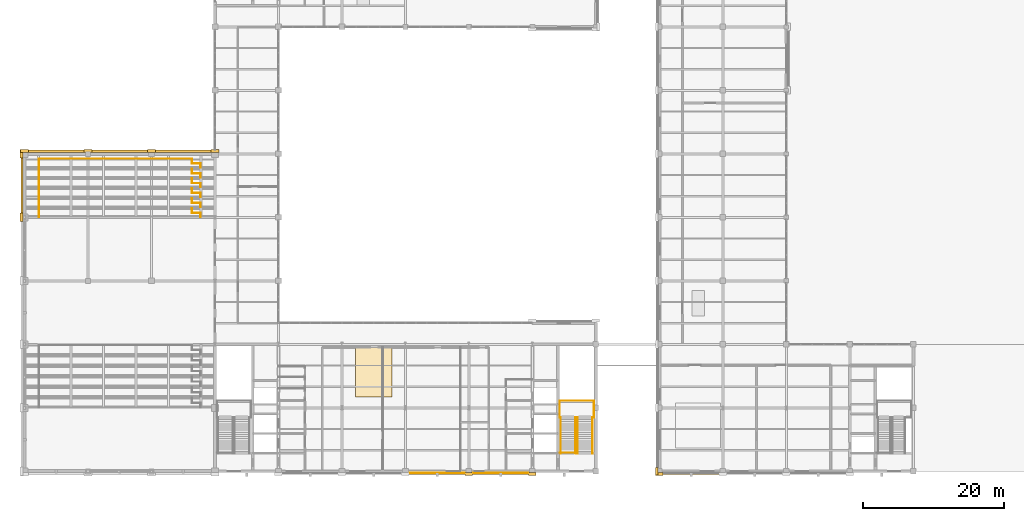
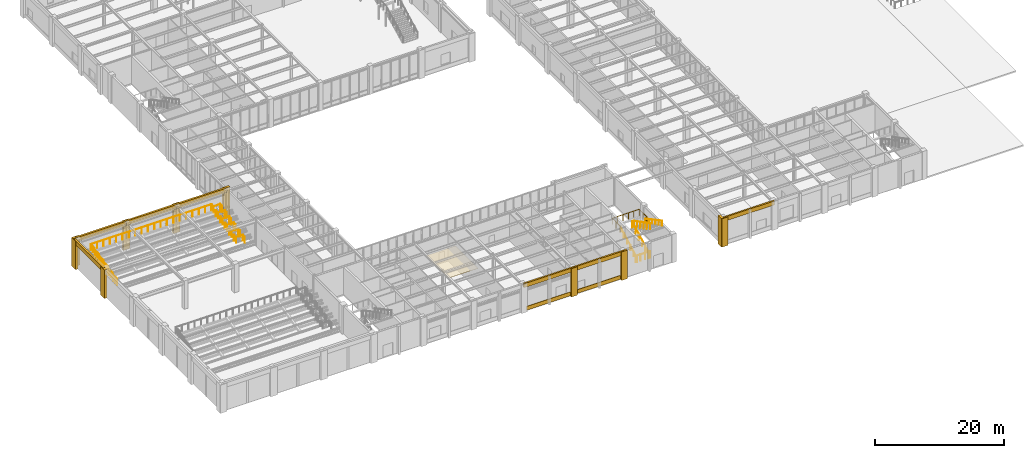
# One storey, part 73 of 77: 20 coverings, 16 railings.
"""IFC4 building model written with IfcOpenShell, lengths in metres."""

from ifc_helpers import new_model, si_unit, direction, frame, origin, origin_2d, place, context, subcontext, project, spatial, rectangle, circle, extrude, material, layer, layer_set, type_object, element, save


model = new_model("IFC4")

# Units and contexts
model_context = context("Model", 3, precision=1e-05, world=origin(), true_north=direction((0.0, 1.0)))
body_context = subcontext(model_context, "Body", "Model", "MODEL_VIEW")
ifc_project = project(units=[si_unit("LENGTHUNIT", "METRE"), si_unit("AREAUNIT", "SQUARE_METRE"), si_unit("VOLUMEUNIT", "CUBIC_METRE"), si_unit("PLANEANGLEUNIT", "RADIAN"), si_unit("MASSUNIT", "GRAM", prefix="KILO")], contexts=[model_context])

# Site, building, storey
site_placement = place(None, origin())
site = spatial("IfcSite", under=ifc_project, at=site_placement, CompositionType="ELEMENT")
building_placement = place(site_placement, origin())
building = spatial("IfcBuilding", under=site, at=building_placement, Name="Lykobir Media Centre", CompositionType="ELEMENT")
storey_placement = place(building_placement, origin())
storey = spatial("IfcBuildingStorey", under=building, at=storey_placement, Name="L00", CompositionType="ELEMENT", Elevation=0.0)

# Coverings
ifc_material_1 = material(Name="Honed Travertine Stone", Category="masonry")
ifc_layer_1 = layer(ifc_material_1, 0.050048828125, Name="Honed Travertine Stone")
ifc_layer_set_1 = layer_set([ifc_layer_1], Name="Honed Travertine Stone")
covering_type_1 = type_object("IfcCoveringType", Name="CLD-TRAV", PredefinedType="CLADDING", material=ifc_layer_set_1)
for number, where, z_axis, x_axis, name in (
    (1, (89.6201171875, 0.0, 0.0), (0.0, 0.0, 1.0), (0.0, -1.0, 0.0), "Travertine column pier 70"),
    (2, (90.0, -0.3798828125, 0.0), (0.0, 0.0, 1.0), (1.0, 0.0, 0.0), "Travertine column pier 75"),
):
    element("IfcCovering", number, at=place(storey_placement, frame(where, z_axis=z_axis, x_axis=x_axis)), inside=storey, type_object=covering_type_1, Name=name, PredefinedType="CLADDING", context=body_context, shape_type="SweptSolid", body=[
        extrude(rectangle(XDim=1.06005859375, YDim=0.39990234375, at=origin_2d()), origin(), (0.0, 0.0, 1.0), 5.39990234375),
    ])
covering_1_placement = place(storey_placement, frame((94.5, -0.300048828125, 4.64013671875), z_axis=(0.0, 0.0, 1.0), x_axis=(1.0, 0.0, 0.0)))
element("IfcCovering", 3, at=covering_1_placement, inside=storey, type_object=covering_type_1, Name="Travertine spandrel stringcourse 77", PredefinedType="CLADDING", context=body_context, shape_type="SweptSolid", body=[
    extrude(rectangle(XDim=9.0, YDim=0.280029296875, at=origin_2d()), origin(), (0.0, 0.0, 1.0), 0.760009765625),
])
covering_2_placement = place(storey_placement, frame((4.5, 45.360107421875, 4.56005859375), z_axis=(0.0, 0.0, 1.0), x_axis=(-1.0, 0.0, 0.0)))
element("IfcCovering", 4, at=covering_2_placement, inside=storey, type_object=covering_type_1, Name="Acoustic hall cornice band 145", PredefinedType="CLADDING", context=body_context, shape_type="SweptSolid", body=[
    extrude(rectangle(XDim=9.0, YDim=0.340087890625, at=origin_2d()), origin(), (0.0, 0.0, 1.0), 0.840087890625),
])
for number, where, z_axis, x_axis, name in (
    (5, (9.0, 45.419921875, 0.0), (0.0, 0.0, 1.0), (-1.0, 0.0, 0.0), "Stone pilaster 146"),
    (6, (0.0, 45.419921875, 0.0), (0.0, 0.0, 1.0), (-1.0, 0.0, 0.0), "Stone pilaster 147"),
):
    element("IfcCovering", number, at=place(storey_placement, frame(where, z_axis=z_axis, x_axis=x_axis)), inside=storey, type_object=covering_type_1, Name=name, PredefinedType="CLADDING", context=body_context, shape_type="SweptSolid", body=[
        extrude(rectangle(XDim=1.179931640625, YDim=0.43994140625, at=origin_2d()), origin(), (0.0, 0.0, 1.0), 5.39990234375),
    ])
covering_3_placement = place(storey_placement, frame((13.5, 45.360107421875, 4.56005859375), z_axis=(0.0, 0.0, 1.0), x_axis=(-1.0, 0.0, 0.0)))
element("IfcCovering", 7, at=covering_3_placement, inside=storey, type_object=covering_type_1, Name="Acoustic hall cornice band 148", PredefinedType="CLADDING", context=body_context, shape_type="SweptSolid", body=[
    extrude(rectangle(XDim=9.0, YDim=0.340087890625, at=origin_2d()), origin(), (0.0, 0.0, 1.0), 0.840087890625),
])
covering_4_placement = place(storey_placement, frame((18.0, 45.419921875, 0.0), z_axis=(0.0, 0.0, 1.0), x_axis=(-1.0, 0.0, 0.0)))
element("IfcCovering", 8, at=covering_4_placement, inside=storey, type_object=covering_type_1, Name="Stone pilaster 149", PredefinedType="CLADDING", context=body_context, shape_type="SweptSolid", body=[
    extrude(rectangle(XDim=1.179931640625, YDim=0.43994140625, at=origin_2d()), origin(), (0.0, 0.0, 1.0), 5.39990234375),
])
covering_5_placement = place(storey_placement, frame((22.5, 45.360107421875, 4.56005859375), z_axis=(0.0, 0.0, 1.0), x_axis=(-1.0, 0.0, 0.0)))
element("IfcCovering", 9, at=covering_5_placement, inside=storey, type_object=covering_type_1, Name="Acoustic hall cornice band 150", PredefinedType="CLADDING", context=body_context, shape_type="SweptSolid", body=[
    extrude(rectangle(XDim=9.0, YDim=0.340087890625, at=origin_2d()), origin(), (0.0, 0.0, 1.0), 0.840087890625),
])
for number, where, z_axis, x_axis, name in (
    (10, (27.0, 45.419921875, 0.0), (0.0, 0.0, 1.0), (-1.0, 0.0, 0.0), "Stone pilaster 151"),
    (11, (-0.419921875, 36.0, 0.0), (0.0, 0.0, 1.0), (0.0, -1.0, 0.0), "Stone pilaster 153"),
):
    element("IfcCovering", number, at=place(storey_placement, frame(where, z_axis=z_axis, x_axis=x_axis)), inside=storey, type_object=covering_type_1, Name=name, PredefinedType="CLADDING", context=body_context, shape_type="SweptSolid", body=[
        extrude(rectangle(XDim=1.179931640625, YDim=0.43994140625, at=origin_2d()), origin(), (0.0, 0.0, 1.0), 5.39990234375),
    ])
covering_6_placement = place(storey_placement, frame((-0.360107421875, 40.5, 4.56005859375), z_axis=(0.0, 0.0, 1.0), x_axis=(0.0, -1.0, 0.0)))
element("IfcCovering", 12, at=covering_6_placement, inside=storey, type_object=covering_type_1, Name="Acoustic hall cornice band 155", PredefinedType="CLADDING", context=body_context, shape_type="SweptSolid", body=[
    extrude(rectangle(XDim=9.0, YDim=0.340087890625, at=origin_2d()), origin(), (0.0, 0.0, 1.0), 0.840087890625),
])
covering_7_placement = place(storey_placement, frame((-0.419921875, 45.0, 0.0), z_axis=(0.0, 0.0, 1.0), x_axis=(0.0, -1.0, 0.0)))
element("IfcCovering", 13, at=covering_7_placement, inside=storey, type_object=covering_type_1, Name="Stone pilaster 156", PredefinedType="CLADDING", context=body_context, shape_type="SweptSolid", body=[
    extrude(rectangle(XDim=1.179931640625, YDim=0.43994140625, at=origin_2d()), origin(), (0.0, 0.0, 1.0), 5.39990234375),
])
covering_8_placement = place(storey_placement, frame((63.0, -0.3798828125, 0.0), z_axis=(0.0, 0.0, 1.0), x_axis=(1.0, 0.0, 0.0)))
element("IfcCovering", 14, at=covering_8_placement, inside=storey, type_object=covering_type_1, Name="Travertine column pier 177", PredefinedType="CLADDING", context=body_context, shape_type="SweptSolid", body=[
    extrude(rectangle(XDim=1.06005859375, YDim=0.39990234375, at=origin_2d()), origin(), (0.0, 0.0, 1.0), 5.39990234375),
])
covering_9_placement = place(storey_placement, frame((58.5, -0.300048828125, 4.64013671875), z_axis=(0.0, 0.0, 1.0), x_axis=(1.0, 0.0, 0.0)))
element("IfcCovering", 15, at=covering_9_placement, inside=storey, type_object=covering_type_1, Name="Travertine spandrel stringcourse 178", PredefinedType="CLADDING", context=body_context, shape_type="SweptSolid", body=[
    extrude(rectangle(XDim=9.0, YDim=0.280029296875, at=origin_2d()), origin(), (0.0, 0.0, 1.0), 0.760009765625),
])
covering_10_placement = place(storey_placement, frame((58.5, -0.23095703125, 0.080078125), z_axis=(0.0, 0.0, 1.0), x_axis=(1.0, 0.0, 0.0)))
element("IfcCovering", 16, at=covering_10_placement, inside=storey, type_object=covering_type_1, Name="Facade spandrel apron 179", PredefinedType="CLADDING", context=body_context, shape_type="SweptSolid", body=[
    extrude(rectangle(XDim=7.830078125, YDim=0.110107421875, at=origin_2d()), origin(), (0.0, 0.0, 1.0), 0.719970703125),
])
covering_11_placement = place(storey_placement, frame((72.0, -0.3798828125, 0.0), z_axis=(0.0, 0.0, 1.0), x_axis=(1.0, 0.0, 0.0)))
element("IfcCovering", 17, at=covering_11_placement, inside=storey, type_object=covering_type_1, Name="Travertine column pier 180", PredefinedType="CLADDING", context=body_context, shape_type="SweptSolid", body=[
    extrude(rectangle(XDim=1.06005859375, YDim=0.39990234375, at=origin_2d()), origin(), (0.0, 0.0, 1.0), 5.39990234375),
])
covering_12_placement = place(storey_placement, frame((67.5, -0.300048828125, 4.64013671875), z_axis=(0.0, 0.0, 1.0), x_axis=(1.0, 0.0, 0.0)))
element("IfcCovering", 18, at=covering_12_placement, inside=storey, type_object=covering_type_1, Name="Travertine spandrel stringcourse 181", PredefinedType="CLADDING", context=body_context, shape_type="SweptSolid", body=[
    extrude(rectangle(XDim=9.0, YDim=0.280029296875, at=origin_2d()), origin(), (0.0, 0.0, 1.0), 0.760009765625),
])
covering_13_placement = place(storey_placement, frame((67.5, -0.23095703125, 0.080078125), z_axis=(0.0, 0.0, 1.0), x_axis=(1.0, 0.0, 0.0)))
element("IfcCovering", 19, at=covering_13_placement, inside=storey, type_object=covering_type_1, Name="Facade spandrel apron 182", PredefinedType="CLADDING", context=body_context, shape_type="SweptSolid", body=[
    extrude(rectangle(XDim=7.830078125, YDim=0.110107421875, at=origin_2d()), origin(), (0.0, 0.0, 1.0), 0.719970703125),
])
ifc_material_2 = material(Name="Acoustic Gypsum Board", Category="gypsum")
ifc_layer_2 = layer(ifc_material_2, 0.0400390625, Name="Acoustic Gypsum Board")
ifc_layer_set_2 = layer_set([ifc_layer_2], Name="Acoustic Gypsum Board")
covering_type_2 = type_object("IfcCoveringType", Name="COV-CEIL", PredefinedType="CEILING", material=ifc_layer_set_2)
covering_14_placement = place(storey_placement, frame((49.5, 14.080078125, 2.300048828125), z_axis=(0.0, 0.0, 1.0), x_axis=(1.0, 0.0, 0.0)))
element("IfcCovering", 20, at=covering_14_placement, inside=storey, type_object=covering_type_2, Name="L00 acoustic suspended ceiling 1", PredefinedType="CEILING", context=body_context, shape_type="SweptSolid", body=[
    extrude(rectangle(XDim=5.199951171875, YDim=7.050048828125, at=origin_2d()), origin(), (0.0, 0.0, 1.0), 0.0400390625),
])

# Railings
ifc_material_3 = material(Name="Steel S355", Category="steel")
railing_type_1 = type_object("IfcRailingType", Name="GR-1200", PredefinedType="BALUSTRADE", material=ifc_material_3)
railing_1_placement = place(storey_placement, frame((75.8701171875, 2.6298828125, 0.0)))
element("IfcRailing", 21, at=railing_1_placement, inside=storey, type_object=railing_type_1, Name="ST-2 L00 arrival well guard", PredefinedType="BALUSTRADE", context=body_context, shape_type="SweptSolid", body=[
    extrude(circle(Radius=0.02392578125, at=origin_2d()), frame((0.0, 0.0, 1.17578125), z_axis=(1.0, 0.0, 0.0), x_axis=(0.0, 1.0, 0.0)), (0.0, 0.0, 1.0), 2.539794921875),
    extrude(circle(Radius=0.02099609375, at=origin_2d()), origin(), (0.0, 0.0, 1.0), 1.15185546875),
    extrude(circle(Radius=0.02099609375, at=origin_2d()), frame((0.8466796875, 0.0, 0.0)), (0.0, 0.0, 1.0), 1.15185546875),
    extrude(circle(Radius=0.02099609375, at=origin_2d()), frame((1.693115234375, 0.0, 0.0)), (0.0, 0.0, 1.0), 1.15185546875),
    extrude(circle(Radius=0.02099609375, at=origin_2d()), frame((2.539794921875, 0.0, 0.0)), (0.0, 0.0, 1.0), 1.15185546875),
])
railing_2_placement = place(storey_placement, frame((78.1298828125, 2.530029296875, 0.0)))
element("IfcRailing", 22, at=railing_2_placement, inside=storey, type_object=railing_type_1, Name="ST-2 L00 inner well and slot guard", PredefinedType="BALUSTRADE", context=body_context, shape_type="SweptSolid", body=[
    extrude(circle(Radius=0.02392578125, at=origin_2d()), frame((0.0, 0.0, 1.17578125), z_axis=(0.0, 0.883785858079, 0.467891608238), x_axis=(-1.0, 0.0, 0.0)), (0.0, 0.0, 1.0), 5.7705078125),
    extrude(circle(Radius=0.02392578125, at=origin_2d()), frame((0.0, 5.099853515625, 3.8759765625), z_axis=(1.0, 0.0, 0.0), x_axis=(0.0, 1.0, 0.0)), (0.0, 0.0, 1.0), 0.280029296875),
    extrude(circle(Radius=0.02392578125, at=origin_2d()), frame((0.280029296875, 5.099853515625, 3.8759765625), z_axis=(0.0, -0.883785858079, 0.467891608238), x_axis=(1.0, 0.0, 0.0)), (0.0, 0.0, 1.0), 5.7705078125),
    extrude(circle(Radius=0.02099609375, at=origin_2d()), origin(), (0.0, 0.0, 1.0), 1.15185546875),
    extrude(circle(Radius=0.02099609375, at=origin_2d()), frame((0.0, 1.02001953125, 0.5400390625)), (0.0, 0.0, 1.0), 1.15185546875),
    extrude(circle(Radius=0.02099609375, at=origin_2d()), frame((0.0, 2.0400390625, 1.080078125)), (0.0, 0.0, 1.0), 1.15185546875),
    extrude(circle(Radius=0.02099609375, at=origin_2d()), frame((0.0, 3.059814453125, 1.619873046875)), (0.0, 0.0, 1.0), 1.15185546875),
    extrude(circle(Radius=0.02099609375, at=origin_2d()), frame((0.0, 4.079833984375, 2.159912109375)), (0.0, 0.0, 1.0), 1.15185546875),
    extrude(circle(Radius=0.02099609375, at=origin_2d()), frame((0.0, 5.099853515625, 2.699951171875)), (0.0, 0.0, 1.0), 1.15185546875),
    extrude(circle(Radius=0.02099609375, at=origin_2d()), frame((0.280029296875, 5.099853515625, 2.699951171875)), (0.0, 0.0, 1.0), 1.15185546875),
    extrude(circle(Radius=0.02099609375, at=origin_2d()), frame((0.280029296875, 4.079833984375, 3.239990234375)), (0.0, 0.0, 1.0), 1.15185546875),
    extrude(circle(Radius=0.02099609375, at=origin_2d()), frame((0.280029296875, 3.059814453125, 3.780029296875)), (0.0, 0.0, 1.0), 1.15185546875),
    extrude(circle(Radius=0.02099609375, at=origin_2d()), frame((0.280029296875, 2.0400390625, 4.31982421875)), (0.0, 0.0, 1.0), 1.15185546875),
    extrude(circle(Radius=0.02099609375, at=origin_2d()), frame((0.280029296875, 1.02001953125, 4.85986328125)), (0.0, 0.0, 1.0), 1.15185546875),
    extrude(circle(Radius=0.02099609375, at=origin_2d()), frame((0.280029296875, 0.0, 5.39990234375)), (0.0, 0.0, 1.0), 1.15185546875),
])
railing_3_placement = place(storey_placement, frame((75.989990234375, 7.590087890625, 2.699951171875)))
element("IfcRailing", 23, at=railing_3_placement, inside=storey, type_object=railing_type_1, Name="ST-2 L00 half-landing perimeter guard", PredefinedType="BALUSTRADE", context=body_context, shape_type="SweptSolid", body=[
    extrude(circle(Radius=0.02392578125, at=origin_2d()), frame((0.0, 0.0, 1.17578125), z_axis=(-1.0, 0.0, 0.0), x_axis=(0.0, -1.0, 0.0)), (0.0, 0.0, 1.0), 0.110107421875),
    extrude(circle(Radius=0.02392578125, at=origin_2d()), frame((-0.110107421875, 0.0, 1.17578125), z_axis=(0.0, 1.0, 0.0), x_axis=(-1.0, 0.0, 0.0)), (0.0, 0.0, 1.0), 2.39990234375),
    extrude(circle(Radius=0.02392578125, at=origin_2d()), frame((-0.110107421875, 2.39990234375, 1.17578125), z_axis=(1.0, 0.0, 0.0), x_axis=(0.0, 1.0, 0.0)), (0.0, 0.0, 1.0), 4.840087890625),
    extrude(circle(Radius=0.02392578125, at=origin_2d()), frame((4.72998046875, 2.39990234375, 1.17578125), z_axis=(0.0, -1.0, 0.0), x_axis=(1.0, 0.0, 0.0)), (0.0, 0.0, 1.0), 2.39990234375),
    extrude(circle(Radius=0.02392578125, at=origin_2d()), frame((4.72998046875, 0.0, 1.17578125), z_axis=(-1.0, 0.0, 0.0), x_axis=(0.0, -1.0, 0.0)), (0.0, 0.0, 1.0), 0.169921875),
    extrude(circle(Radius=0.02099609375, at=origin_2d()), origin(), (0.0, 0.0, 1.0), 1.15185546875),
    extrude(circle(Radius=0.02099609375, at=origin_2d()), frame((-0.110107421875, 0.0, 0.0)), (0.0, 0.0, 1.0), 1.15185546875),
    extrude(circle(Radius=0.02099609375, at=origin_2d()), frame((-0.110107421875, 1.199951171875, 0.0)), (0.0, 0.0, 1.0), 1.15185546875),
    extrude(circle(Radius=0.02099609375, at=origin_2d()), frame((-0.110107421875, 2.39990234375, 0.0)), (0.0, 0.0, 1.0), 1.15185546875),
    extrude(circle(Radius=0.02099609375, at=origin_2d()), frame((0.85791015625, 2.39990234375, 0.0)), (0.0, 0.0, 1.0), 1.15185546875),
    extrude(circle(Radius=0.02099609375, at=origin_2d()), frame((1.825927734375, 2.39990234375, 0.0)), (0.0, 0.0, 1.0), 1.15185546875),
    extrude(circle(Radius=0.02099609375, at=origin_2d()), frame((2.7939453125, 2.39990234375, 0.0)), (0.0, 0.0, 1.0), 1.15185546875),
    extrude(circle(Radius=0.02099609375, at=origin_2d()), frame((3.761962890625, 2.39990234375, 0.0)), (0.0, 0.0, 1.0), 1.15185546875),
    extrude(circle(Radius=0.02099609375, at=origin_2d()), frame((4.72998046875, 2.39990234375, 0.0)), (0.0, 0.0, 1.0), 1.15185546875),
    extrude(circle(Radius=0.02099609375, at=origin_2d()), frame((4.72998046875, 1.199951171875, 0.0)), (0.0, 0.0, 1.0), 1.15185546875),
    extrude(circle(Radius=0.02099609375, at=origin_2d()), frame((4.72998046875, 0.0, 0.0)), (0.0, 0.0, 1.0), 1.15185546875),
    extrude(circle(Radius=0.02099609375, at=origin_2d()), frame((4.56005859375, 0.0, 0.0)), (0.0, 0.0, 1.0), 1.15185546875),
])
railing_4_placement = place(storey_placement, frame((2.06005859375, 36.06005859375, 1.199951171875)))
element("IfcRailing", 24, at=railing_4_placement, inside=storey, type_object=railing_type_1, Name="SCR2 west tier 1 balustrade", PredefinedType="BALUSTRADE", context=body_context, shape_type="SweptSolid", body=[
    extrude(circle(Radius=0.02392578125, at=origin_2d()), frame((0.0, 0.0, 1.17578125), z_axis=(0.0, 1.0, 0.0), x_axis=(-1.0, 0.0, 0.0)), (0.0, 0.0, 1.0), 1.239990234375),
    extrude(circle(Radius=0.02099609375, at=origin_2d()), origin(), (0.0, 0.0, 1.0), 1.15185546875),
    extrude(circle(Radius=0.02099609375, at=origin_2d()), frame((0.0, 0.6201171875, 0.0)), (0.0, 0.0, 1.0), 1.15185546875),
    extrude(circle(Radius=0.02099609375, at=origin_2d()), frame((0.0, 1.239990234375, 0.0)), (0.0, 0.0, 1.0), 1.15185546875),
])
railing_5_placement = place(storey_placement, frame((24.93994140625, 36.06005859375, 1.199951171875)))
element("IfcRailing", 25, at=railing_5_placement, inside=storey, type_object=railing_type_1, Name="SCR2 east tier 1 balustrade", PredefinedType="BALUSTRADE", context=body_context, shape_type="SweptSolid", body=[
    extrude(circle(Radius=0.02392578125, at=origin_2d()), frame((0.0, 0.0, 1.17578125), z_axis=(0.0, 1.0, 0.0), x_axis=(-1.0, 0.0, 0.0)), (0.0, 0.0, 1.0), 0.579833984375),
    extrude(circle(Radius=0.02392578125, at=origin_2d()), frame((0.0, 0.579833984375, 1.17578125), z_axis=(-1.0, 0.0, 0.0), x_axis=(0.0, -1.0, 0.0)), (0.0, 0.0, 1.0), 1.199951171875),
    extrude(circle(Radius=0.02392578125, at=origin_2d()), frame((-1.199951171875, 0.579833984375, 1.17578125), z_axis=(0.0, 1.0, 0.0), x_axis=(-1.0, 0.0, 0.0)), (0.0, 0.0, 1.0), 0.66015625),
    extrude(circle(Radius=0.02099609375, at=origin_2d()), origin(), (0.0, 0.0, 1.0), 1.15185546875),
    extrude(circle(Radius=0.02099609375, at=origin_2d()), frame((0.0, 0.579833984375, 0.0)), (0.0, 0.0, 1.0), 1.15185546875),
    extrude(circle(Radius=0.02099609375, at=origin_2d()), frame((-1.199951171875, 0.579833984375, 0.0)), (0.0, 0.0, 1.0), 1.15185546875),
    extrude(circle(Radius=0.02099609375, at=origin_2d()), frame((-1.199951171875, 1.239990234375, 0.0)), (0.0, 0.0, 1.0), 1.15185546875),
])
railing_6_placement = place(storey_placement, frame((2.06005859375, 37.4599609375, 1.52001953125)))
element("IfcRailing", 26, at=railing_6_placement, inside=storey, type_object=railing_type_1, Name="SCR2 west tier 2 balustrade", PredefinedType="BALUSTRADE", context=body_context, shape_type="SweptSolid", body=[
    extrude(circle(Radius=0.02392578125, at=origin_2d()), frame((0.0, 0.0, 1.17578125), z_axis=(0.0, 1.0, 0.0), x_axis=(-1.0, 0.0, 0.0)), (0.0, 0.0, 1.0), 1.239990234375),
    extrude(circle(Radius=0.02099609375, at=origin_2d()), origin(), (0.0, 0.0, 1.0), 1.15185546875),
    extrude(circle(Radius=0.02099609375, at=origin_2d()), frame((0.0, 0.6201171875, 0.0)), (0.0, 0.0, 1.0), 1.15185546875),
    extrude(circle(Radius=0.02099609375, at=origin_2d()), frame((0.0, 1.239990234375, 0.0)), (0.0, 0.0, 1.0), 1.15185546875),
])
railing_7_placement = place(storey_placement, frame((24.93994140625, 37.4599609375, 1.52001953125)))
element("IfcRailing", 27, at=railing_7_placement, inside=storey, type_object=railing_type_1, Name="SCR2 east tier 2 balustrade", PredefinedType="BALUSTRADE", context=body_context, shape_type="SweptSolid", body=[
    extrude(circle(Radius=0.02392578125, at=origin_2d()), frame((0.0, 0.0, 1.17578125), z_axis=(0.0, 1.0, 0.0), x_axis=(-1.0, 0.0, 0.0)), (0.0, 0.0, 1.0), 0.580078125),
    extrude(circle(Radius=0.02392578125, at=origin_2d()), frame((0.0, 0.580078125, 1.17578125), z_axis=(-1.0, 0.0, 0.0), x_axis=(0.0, -1.0, 0.0)), (0.0, 0.0, 1.0), 1.199951171875),
    extrude(circle(Radius=0.02392578125, at=origin_2d()), frame((-1.199951171875, 0.580078125, 1.17578125), z_axis=(0.0, 1.0, 0.0), x_axis=(-1.0, 0.0, 0.0)), (0.0, 0.0, 1.0), 0.659912109375),
    extrude(circle(Radius=0.02099609375, at=origin_2d()), origin(), (0.0, 0.0, 1.0), 1.15185546875),
    extrude(circle(Radius=0.02099609375, at=origin_2d()), frame((0.0, 0.580078125, 0.0)), (0.0, 0.0, 1.0), 1.15185546875),
    extrude(circle(Radius=0.02099609375, at=origin_2d()), frame((-1.199951171875, 0.580078125, 0.0)), (0.0, 0.0, 1.0), 1.15185546875),
    extrude(circle(Radius=0.02099609375, at=origin_2d()), frame((-1.199951171875, 1.239990234375, 0.0)), (0.0, 0.0, 1.0), 1.15185546875),
])
railing_8_placement = place(storey_placement, frame((2.06005859375, 38.860107421875, 1.840087890625)))
element("IfcRailing", 28, at=railing_8_placement, inside=storey, type_object=railing_type_1, Name="SCR2 west tier 3 balustrade", PredefinedType="BALUSTRADE", context=body_context, shape_type="SweptSolid", body=[
    extrude(circle(Radius=0.02392578125, at=origin_2d()), frame((0.0, 0.0, 1.17578125), z_axis=(0.0, 1.0, 0.0), x_axis=(-1.0, 0.0, 0.0)), (0.0, 0.0, 1.0), 1.239990234375),
    extrude(circle(Radius=0.02099609375, at=origin_2d()), origin(), (0.0, 0.0, 1.0), 1.15185546875),
    extrude(circle(Radius=0.02099609375, at=origin_2d()), frame((0.0, 0.6201171875, 0.0)), (0.0, 0.0, 1.0), 1.15185546875),
    extrude(circle(Radius=0.02099609375, at=origin_2d()), frame((0.0, 1.239990234375, 0.0)), (0.0, 0.0, 1.0), 1.15185546875),
])
railing_9_placement = place(storey_placement, frame((24.93994140625, 38.860107421875, 1.840087890625)))
element("IfcRailing", 29, at=railing_9_placement, inside=storey, type_object=railing_type_1, Name="SCR2 east tier 3 balustrade", PredefinedType="BALUSTRADE", context=body_context, shape_type="SweptSolid", body=[
    extrude(circle(Radius=0.02392578125, at=origin_2d()), frame((0.0, 0.0, 1.17578125), z_axis=(0.0, 1.0, 0.0), x_axis=(-1.0, 0.0, 0.0)), (0.0, 0.0, 1.0), 0.579833984375),
    extrude(circle(Radius=0.02392578125, at=origin_2d()), frame((0.0, 0.579833984375, 1.17578125), z_axis=(-1.0, 0.0, 0.0), x_axis=(0.0, -1.0, 0.0)), (0.0, 0.0, 1.0), 1.199951171875),
    extrude(circle(Radius=0.02392578125, at=origin_2d()), frame((-1.199951171875, 0.579833984375, 1.17578125), z_axis=(0.0, 1.0, 0.0), x_axis=(-1.0, 0.0, 0.0)), (0.0, 0.0, 1.0), 0.66015625),
    extrude(circle(Radius=0.02099609375, at=origin_2d()), origin(), (0.0, 0.0, 1.0), 1.15185546875),
    extrude(circle(Radius=0.02099609375, at=origin_2d()), frame((0.0, 0.579833984375, 0.0)), (0.0, 0.0, 1.0), 1.15185546875),
    extrude(circle(Radius=0.02099609375, at=origin_2d()), frame((-1.199951171875, 0.579833984375, 0.0)), (0.0, 0.0, 1.0), 1.15185546875),
    extrude(circle(Radius=0.02099609375, at=origin_2d()), frame((-1.199951171875, 1.239990234375, 0.0)), (0.0, 0.0, 1.0), 1.15185546875),
])
railing_10_placement = place(storey_placement, frame((2.06005859375, 40.260009765625, 2.159912109375)))
element("IfcRailing", 30, at=railing_10_placement, inside=storey, type_object=railing_type_1, Name="SCR2 west tier 4 balustrade", PredefinedType="BALUSTRADE", context=body_context, shape_type="SweptSolid", body=[
    extrude(circle(Radius=0.02392578125, at=origin_2d()), frame((0.0, 0.0, 1.17578125), z_axis=(0.0, 1.0, 0.0), x_axis=(-1.0, 0.0, 0.0)), (0.0, 0.0, 1.0), 1.239990234375),
    extrude(circle(Radius=0.02099609375, at=origin_2d()), origin(), (0.0, 0.0, 1.0), 1.15185546875),
    extrude(circle(Radius=0.02099609375, at=origin_2d()), frame((0.0, 0.6201171875, 0.0)), (0.0, 0.0, 1.0), 1.15185546875),
    extrude(circle(Radius=0.02099609375, at=origin_2d()), frame((0.0, 1.239990234375, 0.0)), (0.0, 0.0, 1.0), 1.15185546875),
])
railing_11_placement = place(storey_placement, frame((24.93994140625, 40.260009765625, 2.159912109375)))
element("IfcRailing", 31, at=railing_11_placement, inside=storey, type_object=railing_type_1, Name="SCR2 east tier 4 balustrade", PredefinedType="BALUSTRADE", context=body_context, shape_type="SweptSolid", body=[
    extrude(circle(Radius=0.02392578125, at=origin_2d()), frame((0.0, 0.0, 1.17578125), z_axis=(0.0, 1.0, 0.0), x_axis=(-1.0, 0.0, 0.0)), (0.0, 0.0, 1.0), 0.580078125),
    extrude(circle(Radius=0.02392578125, at=origin_2d()), frame((0.0, 0.580078125, 1.17578125), z_axis=(-1.0, 0.0, 0.0), x_axis=(0.0, -1.0, 0.0)), (0.0, 0.0, 1.0), 1.199951171875),
    extrude(circle(Radius=0.02392578125, at=origin_2d()), frame((-1.199951171875, 0.580078125, 1.17578125), z_axis=(0.0, 1.0, 0.0), x_axis=(-1.0, 0.0, 0.0)), (0.0, 0.0, 1.0), 0.659912109375),
    extrude(circle(Radius=0.02099609375, at=origin_2d()), origin(), (0.0, 0.0, 1.0), 1.15185546875),
    extrude(circle(Radius=0.02099609375, at=origin_2d()), frame((0.0, 0.580078125, 0.0)), (0.0, 0.0, 1.0), 1.15185546875),
    extrude(circle(Radius=0.02099609375, at=origin_2d()), frame((-1.199951171875, 0.580078125, 0.0)), (0.0, 0.0, 1.0), 1.15185546875),
    extrude(circle(Radius=0.02099609375, at=origin_2d()), frame((-1.199951171875, 1.239990234375, 0.0)), (0.0, 0.0, 1.0), 1.15185546875),
])
railing_12_placement = place(storey_placement, frame((2.06005859375, 41.659912109375, 2.47998046875)))
element("IfcRailing", 32, at=railing_12_placement, inside=storey, type_object=railing_type_1, Name="SCR2 west tier 5 balustrade", PredefinedType="BALUSTRADE", context=body_context, shape_type="SweptSolid", body=[
    extrude(circle(Radius=0.02392578125, at=origin_2d()), frame((0.0, 0.0, 1.17578125), z_axis=(0.0, 1.0, 0.0), x_axis=(-1.0, 0.0, 0.0)), (0.0, 0.0, 1.0), 1.239990234375),
    extrude(circle(Radius=0.02099609375, at=origin_2d()), origin(), (0.0, 0.0, 1.0), 1.15185546875),
    extrude(circle(Radius=0.02099609375, at=origin_2d()), frame((0.0, 0.6201171875, 0.0)), (0.0, 0.0, 1.0), 1.15185546875),
    extrude(circle(Radius=0.02099609375, at=origin_2d()), frame((0.0, 1.239990234375, 0.0)), (0.0, 0.0, 1.0), 1.15185546875),
])
railing_13_placement = place(storey_placement, frame((24.93994140625, 41.659912109375, 2.47998046875)))
element("IfcRailing", 33, at=railing_13_placement, inside=storey, type_object=railing_type_1, Name="SCR2 east tier 5 balustrade", PredefinedType="BALUSTRADE", context=body_context, shape_type="SweptSolid", body=[
    extrude(circle(Radius=0.02392578125, at=origin_2d()), frame((0.0, 0.0, 1.17578125), z_axis=(0.0, 1.0, 0.0), x_axis=(-1.0, 0.0, 0.0)), (0.0, 0.0, 1.0), 0.580078125),
    extrude(circle(Radius=0.02392578125, at=origin_2d()), frame((0.0, 0.580078125, 1.17578125), z_axis=(-1.0, 0.0, 0.0), x_axis=(0.0, -1.0, 0.0)), (0.0, 0.0, 1.0), 1.199951171875),
    extrude(circle(Radius=0.02392578125, at=origin_2d()), frame((-1.199951171875, 0.580078125, 1.17578125), z_axis=(0.0, 1.0, 0.0), x_axis=(-1.0, 0.0, 0.0)), (0.0, 0.0, 1.0), 0.659912109375),
    extrude(circle(Radius=0.02099609375, at=origin_2d()), origin(), (0.0, 0.0, 1.0), 1.15185546875),
    extrude(circle(Radius=0.02099609375, at=origin_2d()), frame((0.0, 0.580078125, 0.0)), (0.0, 0.0, 1.0), 1.15185546875),
    extrude(circle(Radius=0.02099609375, at=origin_2d()), frame((-1.199951171875, 0.580078125, 0.0)), (0.0, 0.0, 1.0), 1.15185546875),
    extrude(circle(Radius=0.02099609375, at=origin_2d()), frame((-1.199951171875, 1.239990234375, 0.0)), (0.0, 0.0, 1.0), 1.15185546875),
])
railing_14_placement = place(storey_placement, frame((2.06005859375, 43.06005859375, 2.800048828125)))
element("IfcRailing", 34, at=railing_14_placement, inside=storey, type_object=railing_type_1, Name="SCR2 rear tier 6 balustrade", PredefinedType="BALUSTRADE", context=body_context, shape_type="SweptSolid", body=[
    extrude(circle(Radius=0.02392578125, at=origin_2d()), frame((0.0, 0.0, 1.17578125), z_axis=(0.0, 1.0, 0.0), x_axis=(-1.0, 0.0, 0.0)), (0.0, 0.0, 1.0), 1.239990234375),
    extrude(circle(Radius=0.02392578125, at=origin_2d()), frame((0.0, 1.239990234375, 1.17578125), z_axis=(1.0, 0.0, 0.0), x_axis=(0.0, 1.0, 0.0)), (0.0, 0.0, 1.0), 21.679931640625),
    extrude(circle(Radius=0.02392578125, at=origin_2d()), frame((21.679931640625, 1.239990234375, 1.17578125), z_axis=(0.0, -1.0, 0.0), x_axis=(1.0, 0.0, 0.0)), (0.0, 0.0, 1.0), 0.66015625),
    extrude(circle(Radius=0.02392578125, at=origin_2d()), frame((21.679931640625, 0.579833984375, 1.17578125), z_axis=(1.0, 0.0, 0.0), x_axis=(0.0, 1.0, 0.0)), (0.0, 0.0, 1.0), 1.199951171875),
    extrude(circle(Radius=0.02392578125, at=origin_2d()), frame((22.8798828125, 0.579833984375, 1.17578125), z_axis=(0.0, -1.0, 0.0), x_axis=(1.0, 0.0, 0.0)), (0.0, 0.0, 1.0), 0.579833984375),
    extrude(circle(Radius=0.02099609375, at=origin_2d()), origin(), (0.0, 0.0, 1.0), 1.15185546875),
    extrude(circle(Radius=0.02099609375, at=origin_2d()), frame((0.0, 0.6201171875, 0.0)), (0.0, 0.0, 1.0), 1.15185546875),
    extrude(circle(Radius=0.02099609375, at=origin_2d()), frame((0.0, 1.239990234375, 0.0)), (0.0, 0.0, 1.0), 1.15185546875),
    extrude(circle(Radius=0.02099609375, at=origin_2d()), frame((1.14111328125, 1.239990234375, 0.0)), (0.0, 0.0, 1.0), 1.15185546875),
    extrude(circle(Radius=0.02099609375, at=origin_2d()), frame((2.281982421875, 1.239990234375, 0.0)), (0.0, 0.0, 1.0), 1.15185546875),
    extrude(circle(Radius=0.02099609375, at=origin_2d()), frame((3.423095703125, 1.239990234375, 0.0)), (0.0, 0.0, 1.0), 1.15185546875),
    extrude(circle(Radius=0.02099609375, at=origin_2d()), frame((4.564208984375, 1.239990234375, 0.0)), (0.0, 0.0, 1.0), 1.15185546875),
    extrude(circle(Radius=0.02099609375, at=origin_2d()), frame((5.705322265625, 1.239990234375, 0.0)), (0.0, 0.0, 1.0), 1.15185546875),
    extrude(circle(Radius=0.02099609375, at=origin_2d()), frame((6.84619140625, 1.239990234375, 0.0)), (0.0, 0.0, 1.0), 1.15185546875),
    extrude(circle(Radius=0.02099609375, at=origin_2d()), frame((7.9873046875, 1.239990234375, 0.0)), (0.0, 0.0, 1.0), 1.15185546875),
    extrude(circle(Radius=0.02099609375, at=origin_2d()), frame((9.12841796875, 1.239990234375, 0.0)), (0.0, 0.0, 1.0), 1.15185546875),
    extrude(circle(Radius=0.02099609375, at=origin_2d()), frame((10.26953125, 1.239990234375, 0.0)), (0.0, 0.0, 1.0), 1.15185546875),
    extrude(circle(Radius=0.02099609375, at=origin_2d()), frame((11.410400390625, 1.239990234375, 0.0)), (0.0, 0.0, 1.0), 1.15185546875),
    extrude(circle(Radius=0.02099609375, at=origin_2d()), frame((12.551513671875, 1.239990234375, 0.0)), (0.0, 0.0, 1.0), 1.15185546875),
    extrude(circle(Radius=0.02099609375, at=origin_2d()), frame((13.692626953125, 1.239990234375, 0.0)), (0.0, 0.0, 1.0), 1.15185546875),
    extrude(circle(Radius=0.02099609375, at=origin_2d()), frame((14.833740234375, 1.239990234375, 0.0)), (0.0, 0.0, 1.0), 1.15185546875),
    extrude(circle(Radius=0.02099609375, at=origin_2d()), frame((15.974609375, 1.239990234375, 0.0)), (0.0, 0.0, 1.0), 1.15185546875),
    extrude(circle(Radius=0.02099609375, at=origin_2d()), frame((17.11572265625, 1.239990234375, 0.0)), (0.0, 0.0, 1.0), 1.15185546875),
    extrude(circle(Radius=0.02099609375, at=origin_2d()), frame((18.2568359375, 1.239990234375, 0.0)), (0.0, 0.0, 1.0), 1.15185546875),
    extrude(circle(Radius=0.02099609375, at=origin_2d()), frame((19.39794921875, 1.239990234375, 0.0)), (0.0, 0.0, 1.0), 1.15185546875),
    extrude(circle(Radius=0.02099609375, at=origin_2d()), frame((20.538818359375, 1.239990234375, 0.0)), (0.0, 0.0, 1.0), 1.15185546875),
    extrude(circle(Radius=0.02099609375, at=origin_2d()), frame((21.679931640625, 1.239990234375, 0.0)), (0.0, 0.0, 1.0), 1.15185546875),
    extrude(circle(Radius=0.02099609375, at=origin_2d()), frame((21.679931640625, 0.579833984375, 0.0)), (0.0, 0.0, 1.0), 1.15185546875),
    extrude(circle(Radius=0.02099609375, at=origin_2d()), frame((22.8798828125, 0.579833984375, 0.0)), (0.0, 0.0, 1.0), 1.15185546875),
    extrude(circle(Radius=0.02099609375, at=origin_2d()), frame((22.8798828125, 0.0, 0.0)), (0.0, 0.0, 1.0), 1.15185546875),
])
railing_type_2 = type_object("IfcRailingType", Name="HR-0900", PredefinedType="HANDRAIL", material=ifc_material_3)
railing_15_placement = place(storey_placement, frame((76.030029296875, 2.530029296875, 0.0)))
element("IfcRailing", 35, at=railing_15_placement, inside=storey, type_object=railing_type_2, Name="ST-2 L00 F1 wall handrail", PredefinedType="HANDRAIL", context=body_context, shape_type="SweptSolid", body=[
    extrude(circle(Radius=0.02392578125, at=origin_2d()), frame((0.0, 0.0, 0.8759765625), z_axis=(0.0, 0.883785858079, 0.467891608238), x_axis=(-1.0, 0.0, 0.0)), (0.0, 0.0, 1.0), 5.7705078125),
    extrude(circle(Radius=0.02099609375, at=origin_2d()), origin(), (0.0, 0.0, 1.0), 0.851806640625),
    extrude(circle(Radius=0.02099609375, at=origin_2d()), frame((0.0, 1.02001953125, 0.5400390625)), (0.0, 0.0, 1.0), 0.851806640625),
    extrude(circle(Radius=0.02099609375, at=origin_2d()), frame((0.0, 2.0400390625, 1.080078125)), (0.0, 0.0, 1.0), 0.851806640625),
    extrude(circle(Radius=0.02099609375, at=origin_2d()), frame((0.0, 3.059814453125, 1.619873046875)), (0.0, 0.0, 1.0), 0.851806640625),
    extrude(circle(Radius=0.02099609375, at=origin_2d()), frame((0.0, 4.079833984375, 2.159912109375)), (0.0, 0.0, 1.0), 0.851806640625),
    extrude(circle(Radius=0.02099609375, at=origin_2d()), frame((0.0, 5.099853515625, 2.699951171875)), (0.0, 0.0, 1.0), 0.851806640625),
])
railing_16_placement = place(storey_placement, frame((80.510009765625, 7.6298828125, 2.699951171875)))
element("IfcRailing", 36, at=railing_16_placement, inside=storey, type_object=railing_type_2, Name="ST-2 L00 F2 wall handrail", PredefinedType="HANDRAIL", context=body_context, shape_type="SweptSolid", body=[
    extrude(circle(Radius=0.02392578125, at=origin_2d()), frame((0.0, 0.0, 0.8759765625), z_axis=(0.0, -0.883785858079, 0.467891608238), x_axis=(1.0, 0.0, 0.0)), (0.0, 0.0, 1.0), 5.7705078125),
    extrude(circle(Radius=0.02099609375, at=origin_2d()), origin(), (0.0, 0.0, 1.0), 0.851806640625),
    extrude(circle(Radius=0.02099609375, at=origin_2d()), frame((0.0, -1.02001953125, 0.5400390625)), (0.0, 0.0, 1.0), 0.851806640625),
    extrude(circle(Radius=0.02099609375, at=origin_2d()), frame((0.0, -2.0400390625, 1.080078125)), (0.0, 0.0, 1.0), 0.851806640625),
    extrude(circle(Radius=0.02099609375, at=origin_2d()), frame((0.0, -3.059814453125, 1.619873046875)), (0.0, 0.0, 1.0), 0.851806640625),
    extrude(circle(Radius=0.02099609375, at=origin_2d()), frame((0.0, -4.079833984375, 2.159912109375)), (0.0, 0.0, 1.0), 0.851806640625),
    extrude(circle(Radius=0.02099609375, at=origin_2d()), frame((0.0, -5.099853515625, 2.699951171875)), (0.0, 0.0, 1.0), 0.851806640625),
])

save(model, "model.ifc")
